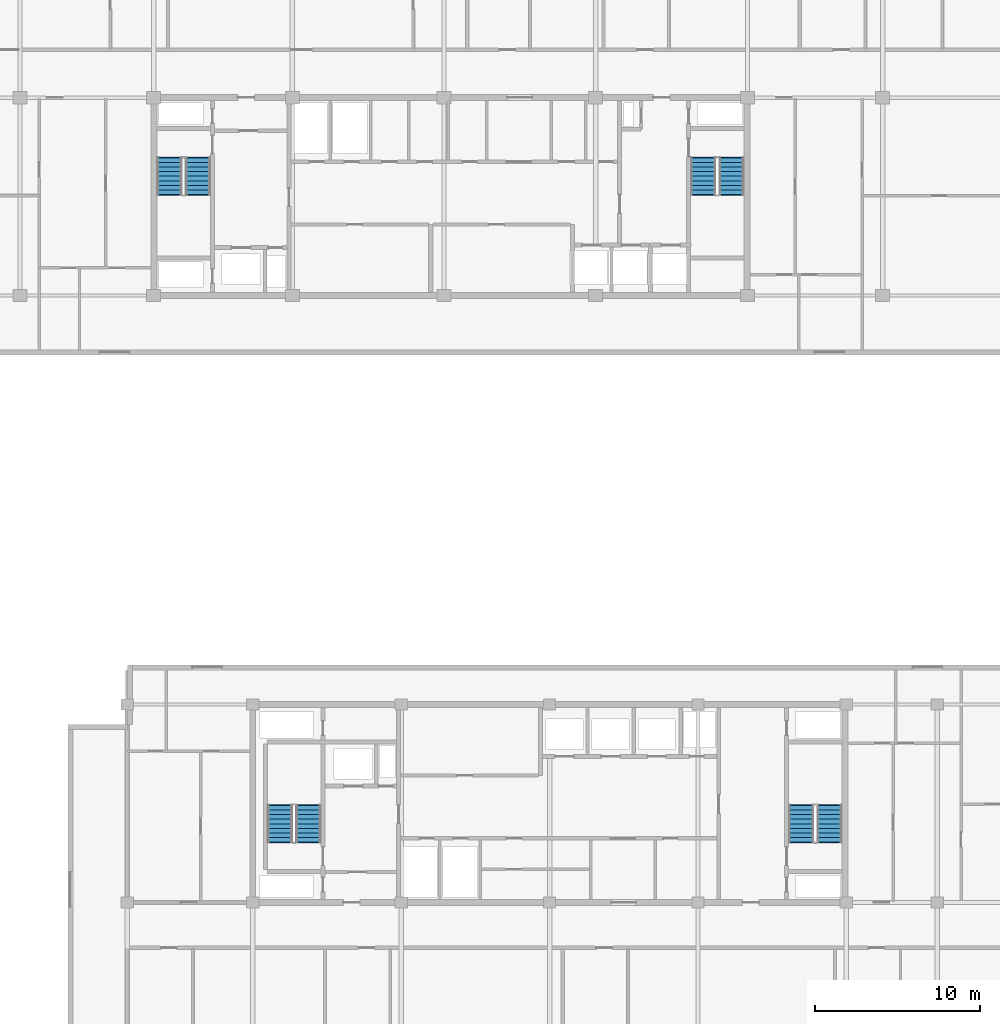
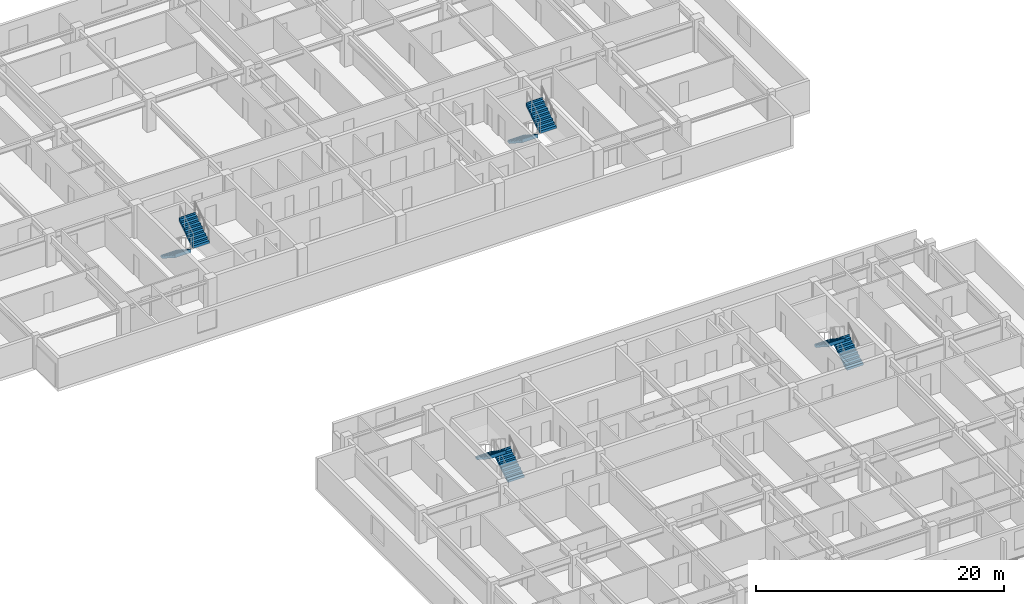
# One storey, part 17 of 22: 8 stair flights, 4 elements without a shape of their own.
"""IFC4 building model written with IfcOpenShell, lengths in metres."""

from ifc_helpers import new_model, si_unit, direction, frame, origin, place, context, subcontext, project, spatial, polyline, outline, extrude, material, type_object, element, aggregate, save


model = new_model("IFC4")

# Units and contexts
model_context = context("Model", 3, precision=1e-05, world=origin(), true_north=direction((0.0, 1.0)))
body_context = subcontext(model_context, "Body", "Model", "MODEL_VIEW")
ifc_project = project(units=[si_unit("LENGTHUNIT", "METRE"), si_unit("AREAUNIT", "SQUARE_METRE"), si_unit("VOLUMEUNIT", "CUBIC_METRE"), si_unit("PLANEANGLEUNIT", "RADIAN"), si_unit("MASSUNIT", "GRAM", prefix="KILO")], contexts=[model_context])

# Site, building, storey
site_placement = place(None, origin())
site = spatial("IfcSite", under=ifc_project, at=site_placement, CompositionType="ELEMENT")
building_placement = place(site_placement, origin())
building = spatial("IfcBuilding", under=site, at=building_placement, Name="Korimba Cascade Residences", CompositionType="ELEMENT")
storey_placement = place(building_placement, frame((0.0, 0.0, 181.60009765625)))
storey = spatial("IfcBuildingStorey", under=building, at=storey_placement, Name="L52", CompositionType="ELEMENT", Elevation=181.60009765625)

# Stair, stair flights
ifc_material = material(Name="Concrete C50/60", Category="concrete")
stair_type_1 = type_object("IfcStairType", Name="STR-W1-18R-1806", PredefinedType="HALF_TURN_STAIR", material=ifc_material)
stair_1_placement = place(storey_placement, origin())
stair_1 = element("IfcStair", 1, at=stair_1_placement, inside=storey, type_object=stair_type_1, Name="L52 Tower 1 West Fire Stair ST-W1", PredefinedType="HALF_TURN_STAIR")
stair_flight_type = type_object("IfcStairFlightType", Name="STF-DL-18R-1806-1520", PredefinedType="STRAIGHT", material=ifc_material)
stair_flight_1_placement = place(storey_placement, frame((77.06005859375, 63.550048828125, 0.0), z_axis=(0.0, 0.0, 1.0), x_axis=(0.0, -1.0, 0.0)))
stair_flight_1 = element("IfcStairFlight", 2, at=stair_flight_1_placement, type_object=stair_flight_type, Name="ST-W1 flight 1", NumberOfRisers=9, NumberOfTreads=8, PredefinedType="STRAIGHT", RiserHeight=0.180555556, TreadLength=0.28, context=body_context, shape_type="SweptSolid", body=[
    extrude(outline(polyline([(-0.0380859375, 0.0), (0.0, 0.1806640625), (0.280029296875, 0.1806640625), (0.280029296875, 0.361083984375), (0.56005859375, 0.361083984375), (0.56005859375, 0.541748046875), (0.840087890625, 0.541748046875), (0.840087890625, 0.72216796875), (1.1201171875, 0.72216796875), (1.1201171875, 0.90283203125), (1.39990234375, 0.90283203125), (1.39990234375, 1.083251953125), (1.679931640625, 1.083251953125), (1.679931640625, 1.263916015625), (1.9599609375, 1.263916015625), (1.9599609375, 1.4443359375), (2.239990234375, 1.4443359375), (2.239990234375, 1.625), (2.278076171875, 1.625), (2.278076171875, 1.26611328125), (0.276611328125, 0.0), (0.276611328125, -0.0380859375), (-0.0380859375, -0.0380859375), (-0.0380859375, 0.0)])), frame((0.0, 0.760009765625, 0.0), z_axis=(0.0, -1.0, 0.0), x_axis=(1.0, 0.0, 0.0)), (0.0, 0.0, 1.0), 1.52001953125),
])
stair_flight_2_placement = place(storey_placement, frame((78.780029296875, 61.31005859375, 1.625), z_axis=(0.0, 0.0, 1.0), x_axis=(0.0, 1.0, 0.0)))
stair_flight_2 = element("IfcStairFlight", 3, at=stair_flight_2_placement, type_object=stair_flight_type, Name="ST-W1 flight 2", NumberOfRisers=9, NumberOfTreads=8, PredefinedType="STRAIGHT", RiserHeight=0.180555556, TreadLength=0.28, context=body_context, shape_type="SweptSolid", body=[
    extrude(outline(polyline([(-0.0380859375, 0.0), (0.0, 0.1806640625), (0.280029296875, 0.1806640625), (0.280029296875, 0.361083984375), (0.56005859375, 0.361083984375), (0.56005859375, 0.541748046875), (0.840087890625, 0.541748046875), (0.840087890625, 0.72216796875), (1.1201171875, 0.72216796875), (1.1201171875, 0.90283203125), (1.39990234375, 0.90283203125), (1.39990234375, 1.083251953125), (1.679931640625, 1.083251953125), (1.679931640625, 1.263916015625), (1.9599609375, 1.263916015625), (1.9599609375, 1.4443359375), (2.239990234375, 1.4443359375), (2.239990234375, 1.625), (2.278076171875, 1.625), (2.278076171875, 1.26611328125), (0.276611328125, 0.0), (0.276611328125, -0.0380859375), (-0.0380859375, -0.0380859375), (-0.0380859375, 0.0)])), frame((0.0, 0.760009765625, 0.0), z_axis=(0.0, -1.0, 0.0), x_axis=(1.0, 0.0, 0.0)), (0.0, 0.0, 1.0), 1.52001953125),
])
aggregate(stair_1, [stair_flight_1, stair_flight_2])

stair_type_2 = type_object("IfcStairType", Name="STR-W2-18R-1806", PredefinedType="HALF_TURN_STAIR", material=ifc_material)
stair_2_placement = place(storey_placement, origin())
stair_2 = element("IfcStair", 4, at=stair_2_placement, inside=storey, type_object=stair_type_2, Name="L52 Tower 1 East Fire Stair ST-W2", PredefinedType="HALF_TURN_STAIR")
stair_flight_3_placement = place(storey_placement, frame((109.419921875, 63.550048828125, 0.0), z_axis=(0.0, 0.0, 1.0), x_axis=(0.0, -1.0, 0.0)))
stair_flight_3 = element("IfcStairFlight", 5, at=stair_flight_3_placement, type_object=stair_flight_type, Name="ST-W2 flight 1", NumberOfRisers=9, NumberOfTreads=8, PredefinedType="STRAIGHT", RiserHeight=0.180555556, TreadLength=0.28, context=body_context, shape_type="SweptSolid", body=[
    extrude(outline(polyline([(-0.0380859375, 0.0), (0.0, 0.1806640625), (0.280029296875, 0.1806640625), (0.280029296875, 0.361083984375), (0.56005859375, 0.361083984375), (0.56005859375, 0.541748046875), (0.840087890625, 0.541748046875), (0.840087890625, 0.72216796875), (1.1201171875, 0.72216796875), (1.1201171875, 0.90283203125), (1.39990234375, 0.90283203125), (1.39990234375, 1.083251953125), (1.679931640625, 1.083251953125), (1.679931640625, 1.263916015625), (1.9599609375, 1.263916015625), (1.9599609375, 1.4443359375), (2.239990234375, 1.4443359375), (2.239990234375, 1.625), (2.278076171875, 1.625), (2.278076171875, 1.26611328125), (0.276611328125, 0.0), (0.276611328125, -0.0380859375), (-0.0380859375, -0.0380859375), (-0.0380859375, 0.0)])), frame((0.0, 0.760009765625, 0.0), z_axis=(0.0, -1.0, 0.0), x_axis=(1.0, 0.0, 0.0)), (0.0, 0.0, 1.0), 1.52001953125),
])
stair_flight_4_placement = place(storey_placement, frame((111.139892578125, 61.31005859375, 1.625), z_axis=(0.0, 0.0, 1.0), x_axis=(0.0, 1.0, 0.0)))
stair_flight_4 = element("IfcStairFlight", 6, at=stair_flight_4_placement, type_object=stair_flight_type, Name="ST-W2 flight 2", NumberOfRisers=9, NumberOfTreads=8, PredefinedType="STRAIGHT", RiserHeight=0.180555556, TreadLength=0.28, context=body_context, shape_type="SweptSolid", body=[
    extrude(outline(polyline([(-0.0380859375, 0.0), (0.0, 0.1806640625), (0.280029296875, 0.1806640625), (0.280029296875, 0.361083984375), (0.56005859375, 0.361083984375), (0.56005859375, 0.541748046875), (0.840087890625, 0.541748046875), (0.840087890625, 0.72216796875), (1.1201171875, 0.72216796875), (1.1201171875, 0.90283203125), (1.39990234375, 0.90283203125), (1.39990234375, 1.083251953125), (1.679931640625, 1.083251953125), (1.679931640625, 1.263916015625), (1.9599609375, 1.263916015625), (1.9599609375, 1.4443359375), (2.239990234375, 1.4443359375), (2.239990234375, 1.625), (2.278076171875, 1.625), (2.278076171875, 1.26611328125), (0.276611328125, 0.0), (0.276611328125, -0.0380859375), (-0.0380859375, -0.0380859375), (-0.0380859375, 0.0)])), frame((0.0, 0.760009765625, 0.0), z_axis=(0.0, -1.0, 0.0), x_axis=(1.0, 0.0, 0.0)), (0.0, 0.0, 1.0), 1.52001953125),
])
aggregate(stair_2, [stair_flight_3, stair_flight_4])

stair_type_3 = type_object("IfcStairType", Name="STR-E1-18R-1806", PredefinedType="HALF_TURN_STAIR", material=ifc_material)
stair_3_placement = place(storey_placement, origin())
stair_3 = element("IfcStair", 7, at=stair_3_placement, inside=storey, type_object=stair_type_3, Name="L52 Tower 2 West Fire Stair ST-E1", PredefinedType="HALF_TURN_STAIR")
stair_flight_5_placement = place(storey_placement, frame((85.47998046875, 22.050048828125, 0.0), z_axis=(0.0, 0.0, 1.0), x_axis=(0.0, 1.0, 0.0)))
stair_flight_5 = element("IfcStairFlight", 8, at=stair_flight_5_placement, type_object=stair_flight_type, Name="ST-E1 flight 1", NumberOfRisers=9, NumberOfTreads=8, PredefinedType="STRAIGHT", RiserHeight=0.180555556, TreadLength=0.28, context=body_context, shape_type="SweptSolid", body=[
    extrude(outline(polyline([(-0.0380859375, 0.0), (0.0, 0.1806640625), (0.280029296875, 0.1806640625), (0.280029296875, 0.361083984375), (0.56005859375, 0.361083984375), (0.56005859375, 0.541748046875), (0.840087890625, 0.541748046875), (0.840087890625, 0.72216796875), (1.1201171875, 0.72216796875), (1.1201171875, 0.90283203125), (1.39990234375, 0.90283203125), (1.39990234375, 1.083251953125), (1.679931640625, 1.083251953125), (1.679931640625, 1.263916015625), (1.9599609375, 1.263916015625), (1.9599609375, 1.4443359375), (2.239990234375, 1.4443359375), (2.239990234375, 1.625), (2.278076171875, 1.625), (2.278076171875, 1.26611328125), (0.276611328125, 0.0), (0.276611328125, -0.0380859375), (-0.0380859375, -0.0380859375), (-0.0380859375, 0.0)])), frame((0.0, 0.760009765625, 0.0), z_axis=(0.0, -1.0, 0.0), x_axis=(1.0, 0.0, 0.0)), (0.0, 0.0, 1.0), 1.52001953125),
])
stair_flight_6_placement = place(storey_placement, frame((83.760009765625, 24.2900390625, 1.625), z_axis=(0.0, 0.0, 1.0), x_axis=(0.0, -1.0, 0.0)))
stair_flight_6 = element("IfcStairFlight", 9, at=stair_flight_6_placement, type_object=stair_flight_type, Name="ST-E1 flight 2", NumberOfRisers=9, NumberOfTreads=8, PredefinedType="STRAIGHT", RiserHeight=0.180555556, TreadLength=0.28, context=body_context, shape_type="SweptSolid", body=[
    extrude(outline(polyline([(-0.0380859375, 0.0), (0.0, 0.1806640625), (0.280029296875, 0.1806640625), (0.280029296875, 0.361083984375), (0.56005859375, 0.361083984375), (0.56005859375, 0.541748046875), (0.840087890625, 0.541748046875), (0.840087890625, 0.72216796875), (1.1201171875, 0.72216796875), (1.1201171875, 0.90283203125), (1.39990234375, 0.90283203125), (1.39990234375, 1.083251953125), (1.679931640625, 1.083251953125), (1.679931640625, 1.263916015625), (1.9599609375, 1.263916015625), (1.9599609375, 1.4443359375), (2.239990234375, 1.4443359375), (2.239990234375, 1.625), (2.278076171875, 1.625), (2.278076171875, 1.26611328125), (0.276611328125, 0.0), (0.276611328125, -0.0380859375), (-0.0380859375, -0.0380859375), (-0.0380859375, 0.0)])), frame((0.0, 0.760009765625, 0.0), z_axis=(0.0, -1.0, 0.0), x_axis=(1.0, 0.0, 0.0)), (0.0, 0.0, 1.0), 1.52001953125),
])
aggregate(stair_3, [stair_flight_5, stair_flight_6])

stair_type_4 = type_object("IfcStairType", Name="STR-E2-18R-1806", PredefinedType="HALF_TURN_STAIR", material=ifc_material)
stair_4_placement = place(storey_placement, origin())
stair_4 = element("IfcStair", 10, at=stair_4_placement, inside=storey, type_object=stair_type_4, Name="L52 Tower 2 East Fire Stair ST-E2", PredefinedType="HALF_TURN_STAIR")
stair_flight_7_placement = place(storey_placement, frame((117.080078125, 22.050048828125, 0.0), z_axis=(0.0, 0.0, 1.0), x_axis=(0.0, 1.0, 0.0)))
stair_flight_7 = element("IfcStairFlight", 11, at=stair_flight_7_placement, type_object=stair_flight_type, Name="ST-E2 flight 1", NumberOfRisers=9, NumberOfTreads=8, PredefinedType="STRAIGHT", RiserHeight=0.180555556, TreadLength=0.28, context=body_context, shape_type="SweptSolid", body=[
    extrude(outline(polyline([(-0.0380859375, 0.0), (0.0, 0.1806640625), (0.280029296875, 0.1806640625), (0.280029296875, 0.361083984375), (0.56005859375, 0.361083984375), (0.56005859375, 0.541748046875), (0.840087890625, 0.541748046875), (0.840087890625, 0.72216796875), (1.1201171875, 0.72216796875), (1.1201171875, 0.90283203125), (1.39990234375, 0.90283203125), (1.39990234375, 1.083251953125), (1.679931640625, 1.083251953125), (1.679931640625, 1.263916015625), (1.9599609375, 1.263916015625), (1.9599609375, 1.4443359375), (2.239990234375, 1.4443359375), (2.239990234375, 1.625), (2.278076171875, 1.625), (2.278076171875, 1.26611328125), (0.276611328125, 0.0), (0.276611328125, -0.0380859375), (-0.0380859375, -0.0380859375), (-0.0380859375, 0.0)])), frame((0.0, 0.760009765625, 0.0), z_axis=(0.0, -1.0, 0.0), x_axis=(1.0, 0.0, 0.0)), (0.0, 0.0, 1.0), 1.52001953125),
])
stair_flight_8_placement = place(storey_placement, frame((115.360107421875, 24.2900390625, 1.625), z_axis=(0.0, 0.0, 1.0), x_axis=(0.0, -1.0, 0.0)))
stair_flight_8 = element("IfcStairFlight", 12, at=stair_flight_8_placement, type_object=stair_flight_type, Name="ST-E2 flight 2", NumberOfRisers=9, NumberOfTreads=8, PredefinedType="STRAIGHT", RiserHeight=0.180555556, TreadLength=0.28, context=body_context, shape_type="SweptSolid", body=[
    extrude(outline(polyline([(-0.0380859375, 0.0), (0.0, 0.1806640625), (0.280029296875, 0.1806640625), (0.280029296875, 0.361083984375), (0.56005859375, 0.361083984375), (0.56005859375, 0.541748046875), (0.840087890625, 0.541748046875), (0.840087890625, 0.72216796875), (1.1201171875, 0.72216796875), (1.1201171875, 0.90283203125), (1.39990234375, 0.90283203125), (1.39990234375, 1.083251953125), (1.679931640625, 1.083251953125), (1.679931640625, 1.263916015625), (1.9599609375, 1.263916015625), (1.9599609375, 1.4443359375), (2.239990234375, 1.4443359375), (2.239990234375, 1.625), (2.278076171875, 1.625), (2.278076171875, 1.26611328125), (0.276611328125, 0.0), (0.276611328125, -0.0380859375), (-0.0380859375, -0.0380859375), (-0.0380859375, 0.0)])), frame((0.0, 0.760009765625, 0.0), z_axis=(0.0, -1.0, 0.0), x_axis=(1.0, 0.0, 0.0)), (0.0, 0.0, 1.0), 1.52001953125),
])
aggregate(stair_4, [stair_flight_7, stair_flight_8])

save(model, "model.ifc")
